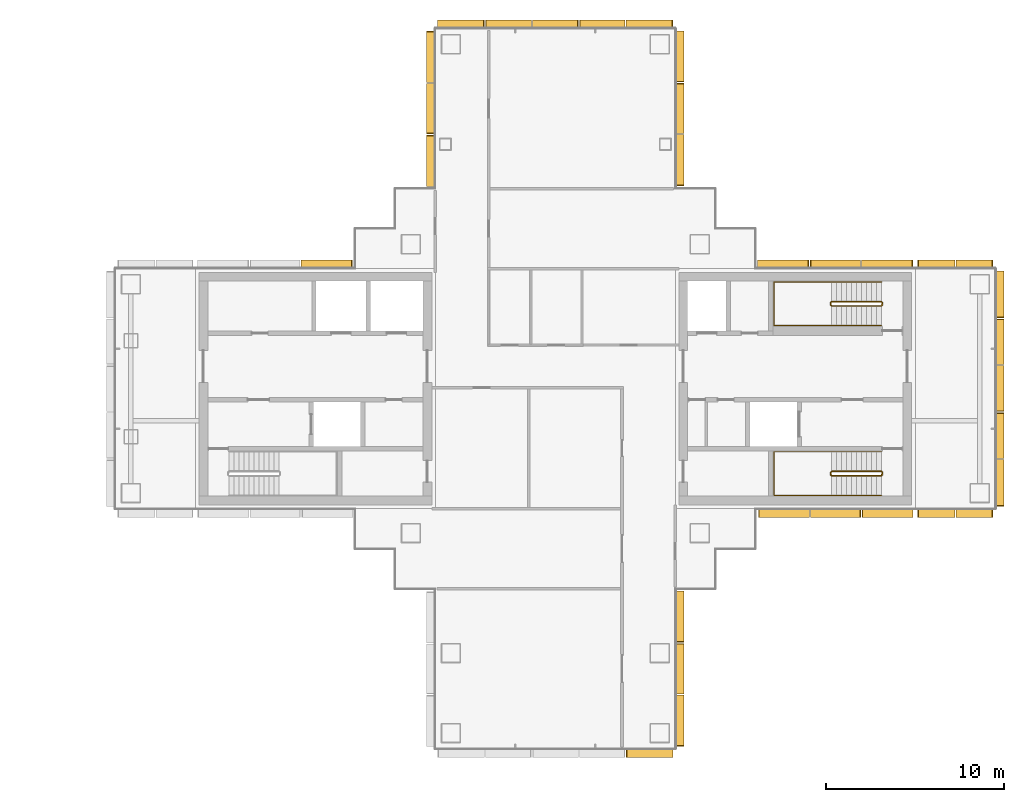
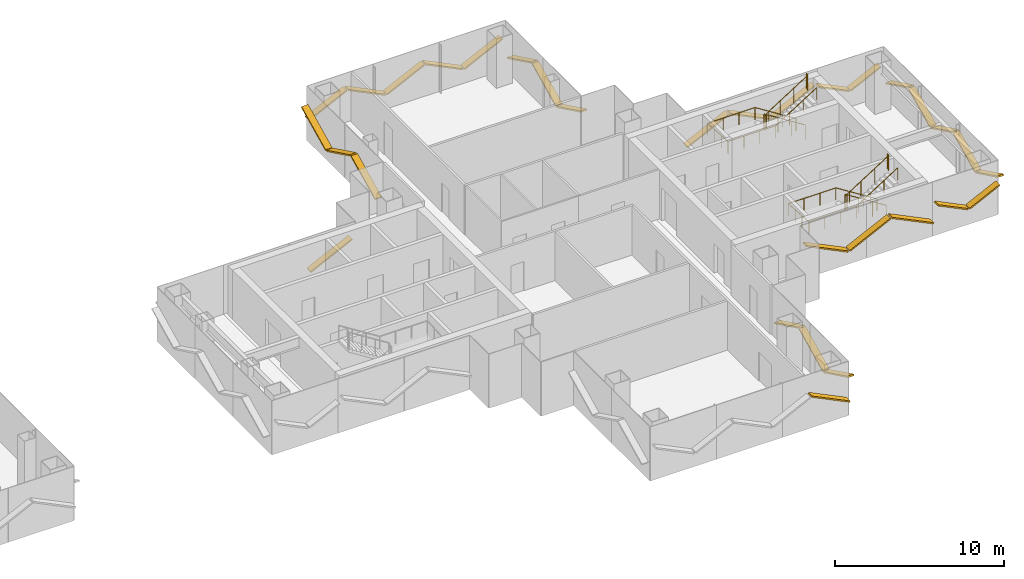
# One storey, part 16 of 16: 31 shading devices, 4 railings.
"""IFC4 building model written with IfcOpenShell, lengths in metres."""

from ifc_helpers import new_model, si_unit, direction, frame, origin, origin_2d, place, context, subcontext, project, spatial, rectangle, circle, extrude, material, material_profile, profile_set, type_object, element, save


model = new_model("IFC4")

# Units and contexts
model_context = context("Model", 3, precision=1e-05, world=origin(), true_north=direction((0.0, 1.0)))
body_context = subcontext(model_context, "Body", "Model", "MODEL_VIEW")
ifc_project = project(units=[si_unit("LENGTHUNIT", "METRE"), si_unit("AREAUNIT", "SQUARE_METRE"), si_unit("VOLUMEUNIT", "CUBIC_METRE"), si_unit("PLANEANGLEUNIT", "RADIAN"), si_unit("MASSUNIT", "GRAM", prefix="KILO")], contexts=[model_context])

# Site, building, storey
site_placement = place(None, origin())
site = spatial("IfcSite", under=ifc_project, at=site_placement, CompositionType="ELEMENT")
building_placement = place(site_placement, origin())
building = spatial("IfcBuilding", under=site, at=building_placement, Name="Shamsa Quay Exchange Towers", CompositionType="ELEMENT")
storey_placement = place(building_placement, frame((0.0, 0.0, 162.300048828125)))
storey = spatial("IfcBuildingStorey", under=building, at=storey_placement, Name="L38", CompositionType="ELEMENT", Elevation=162.300048828125)

# Shading devices
ifc_material_1 = material(Name="Aluminium EN AW-6063 T6, black anodised", Category="aluminium")
ifc_material_profile = material_profile(ifc_material_1, rectangle(XDim=0.449951171875, YDim=0.10009765625, at=origin_2d()), Name="FIN450x100")
ifc_profile_set = profile_set([ifc_material_profile], Name="Aluminium EN AW-6063 T6, black anodised")
shading_device_type = type_object("IfcShadingDeviceType", Name="FIN 450x100 BLACK ALUMINIUM", PredefinedType="USERDEFINED", material=ifc_profile_set)
shading_device_1_placement = place(storey_placement, frame((45.18798828125, -7.01904296875, 2.2919921875), z_axis=(0.898776621123, 0.0, -0.438406871893), x_axis=(0.0, 1.0, 0.0)))
element("IfcShadingDevice", 1, at=shading_device_1_placement, inside=storey, type_object=shading_device_type, Name="FIN T2 chevron rib", ObjectType="FIN", PredefinedType="USERDEFINED", context=body_context, shape_type="SweptSolid", body=[
    extrude(rectangle(XDim=0.449951171875, YDim=0.10009765625, at=origin_2d()), origin(), (0.0, 0.0, 1.0), 3.156982421875),
])
shading_device_2_placement = place(storey_placement, frame((48.125244140625, -7.01904296875, 0.920166015625), z_axis=(0.898776767917, 0.0, 0.43840657095), x_axis=(0.0, 1.0, 0.0)))
element("IfcShadingDevice", 2, at=shading_device_2_placement, inside=storey, type_object=shading_device_type, Name="FIN T2 chevron rib", ObjectType="FIN", PredefinedType="USERDEFINED", context=body_context, shape_type="SweptSolid", body=[
    extrude(rectangle(XDim=0.449951171875, YDim=0.10009765625, at=origin_2d()), origin(), (0.0, 0.0, 1.0), 3.101318359375),
])
shading_device_3_placement = place(storey_placement, frame((51.0126953125, -7.01904296875, 2.2919921875), z_axis=(0.898776621123, 0.0, -0.438406871893), x_axis=(0.0, 1.0, 0.0)))
element("IfcShadingDevice", 3, at=shading_device_3_placement, inside=storey, type_object=shading_device_type, Name="FIN T2 chevron rib", ObjectType="FIN", PredefinedType="USERDEFINED", context=body_context, shape_type="SweptSolid", body=[
    extrude(rectangle(XDim=0.449951171875, YDim=0.10009765625, at=origin_2d()), origin(), (0.0, 0.0, 1.0), 3.156982421875),
])
for number, where, z_axis, x_axis, name in (
    (4, (54.14990234375, -7.014892578125, 2.099853515625), (0.898814733754, 0.0, -0.43832872868), (0.0, 1.0, 0.0), "FIN T2 chevron rib"),
    (5, (56.300048828125, -7.014892578125, 1.10009765625), (0.898814733754, 0.0, 0.43832872868), (0.0, 1.0, 0.0), "FIN T2 chevron rib"),
):
    element("IfcShadingDevice", number, at=place(storey_placement, frame(where, z_axis=z_axis, x_axis=x_axis)), inside=storey, type_object=shading_device_type, Name=name, ObjectType="FIN", PredefinedType="USERDEFINED", context=body_context, shape_type="SweptSolid", body=[
        extrude(rectangle(XDim=0.449951171875, YDim=0.10009765625, at=origin_2d()), origin(), (0.0, 0.0, 1.0), 2.28076171875),
    ])
shading_device_4_placement = place(storey_placement, frame((58.764892578125, -6.60009765625, 2.2314453125), z_axis=(0.0, 0.898805897141, -0.43834684813), x_axis=(-1.0, 0.0, 0.0)))
element("IfcShadingDevice", 6, at=shading_device_4_placement, inside=storey, type_object=shading_device_type, Name="FIN T2 chevron rib", ObjectType="FIN", PredefinedType="USERDEFINED", context=body_context, shape_type="SweptSolid", body=[
    extrude(rectangle(XDim=0.449951171875, YDim=0.10009765625, at=origin_2d()), origin(), (0.0, 0.0, 1.0), 2.881591796875),
])
shading_device_5_placement = place(storey_placement, frame((58.764892578125, -3.909912109375, 0.98046875), z_axis=(0.0, 0.898755990607, 0.438449163927), x_axis=(-1.0, 0.0, 0.0)))
element("IfcShadingDevice", 7, at=shading_device_5_placement, inside=storey, type_object=shading_device_type, Name="FIN T2 chevron rib", ObjectType="FIN", PredefinedType="USERDEFINED", context=body_context, shape_type="SweptSolid", body=[
    extrude(rectangle(XDim=0.449951171875, YDim=0.10009765625, at=origin_2d()), origin(), (0.0, 0.0, 1.0), 2.825927734375),
])
shading_device_6_placement = place(storey_placement, frame((58.764892578125, -1.27001953125, 2.219482421875), z_axis=(0.0, 0.898772596839, -0.438415121968), x_axis=(-1.0, 0.0, 0.0)))
element("IfcShadingDevice", 8, at=shading_device_6_placement, inside=storey, type_object=shading_device_type, Name="FIN T2 chevron rib", ObjectType="FIN", PredefinedType="USERDEFINED", context=body_context, shape_type="SweptSolid", body=[
    extrude(rectangle(XDim=0.449951171875, YDim=0.10009765625, at=origin_2d()), origin(), (0.0, 0.0, 1.0), 2.826171875),
])
shading_device_7_placement = place(storey_placement, frame((58.764892578125, 1.3701171875, 0.98046875), z_axis=(0.0, 0.898755990607, 0.438449163927), x_axis=(-1.0, 0.0, 0.0)))
element("IfcShadingDevice", 9, at=shading_device_7_placement, inside=storey, type_object=shading_device_type, Name="FIN T2 chevron rib", ObjectType="FIN", PredefinedType="USERDEFINED", context=body_context, shape_type="SweptSolid", body=[
    extrude(rectangle(XDim=0.449951171875, YDim=0.10009765625, at=origin_2d()), origin(), (0.0, 0.0, 1.0), 2.825927734375),
])
shading_device_8_placement = place(storey_placement, frame((58.764892578125, 4.010009765625, 2.2314453125), z_axis=(0.0, 0.898805897141, -0.43834684813), x_axis=(-1.0, 0.0, 0.0)))
element("IfcShadingDevice", 10, at=shading_device_8_placement, inside=storey, type_object=shading_device_type, Name="FIN T2 chevron rib", ObjectType="FIN", PredefinedType="USERDEFINED", context=body_context, shape_type="SweptSolid", body=[
    extrude(rectangle(XDim=0.449951171875, YDim=0.10009765625, at=origin_2d()), origin(), (0.0, 0.0, 1.0), 2.881591796875),
])
for number, where, z_axis, x_axis, name in (
    (11, (58.35009765625, 7.014892578125, 2.099853515625), (-0.898814733754, 0.0, -0.43832872868), (0.0, -1.0, 0.0), "FIN T2 chevron rib"),
    (12, (56.199951171875, 7.014892578125, 1.10009765625), (-0.898814733754, 0.0, 0.43832872868), (0.0, -1.0, 0.0), "FIN T2 chevron rib"),
):
    element("IfcShadingDevice", number, at=place(storey_placement, frame(where, z_axis=z_axis, x_axis=x_axis)), inside=storey, type_object=shading_device_type, Name=name, ObjectType="FIN", PredefinedType="USERDEFINED", context=body_context, shape_type="SweptSolid", body=[
        extrude(rectangle(XDim=0.449951171875, YDim=0.10009765625, at=origin_2d()), origin(), (0.0, 0.0, 1.0), 2.28076171875),
    ])
shading_device_9_placement = place(storey_placement, frame((53.85009765625, 7.01904296875, 2.294921875), z_axis=(-0.898818017417, 0.0, -0.438321995302), x_axis=(0.0, -1.0, 0.0)))
element("IfcShadingDevice", 13, at=shading_device_9_placement, inside=storey, type_object=shading_device_type, Name="FIN T2 chevron rib", ObjectType="FIN", PredefinedType="USERDEFINED", context=body_context, shape_type="SweptSolid", body=[
    extrude(rectangle(XDim=0.449951171875, YDim=0.10009765625, at=origin_2d()), origin(), (0.0, 0.0, 1.0), 3.1708984375),
])
shading_device_10_placement = place(storey_placement, frame((50.89990234375, 7.01904296875, 0.917236328125), z_axis=(-0.898803845139, 0.0, 0.438351055621), x_axis=(0.0, -1.0, 0.0)))
element("IfcShadingDevice", 14, at=shading_device_10_placement, inside=storey, type_object=shading_device_type, Name="FIN T2 chevron rib", ObjectType="FIN", PredefinedType="USERDEFINED", context=body_context, shape_type="SweptSolid", body=[
    extrude(rectangle(XDim=0.449951171875, YDim=0.10009765625, at=origin_2d()), origin(), (0.0, 0.0, 1.0), 3.114990234375),
])
shading_device_11_placement = place(storey_placement, frame((48.0, 7.01904296875, 2.294921875), z_axis=(-0.898818017417, 0.0, -0.438321995302), x_axis=(0.0, -1.0, 0.0)))
element("IfcShadingDevice", 15, at=shading_device_11_placement, inside=storey, type_object=shading_device_type, Name="FIN T2 chevron rib", ObjectType="FIN", PredefinedType="USERDEFINED", context=body_context, shape_type="SweptSolid", body=[
    extrude(rectangle(XDim=0.449951171875, YDim=0.10009765625, at=origin_2d()), origin(), (0.0, 0.0, 1.0), 3.1708984375),
])
shading_device_12_placement = place(storey_placement, frame((40.764892578125, 11.43798828125, 2.2919921875), z_axis=(0.0, 0.898776621123, -0.438406871893), x_axis=(-1.0, 0.0, 0.0)))
element("IfcShadingDevice", 16, at=shading_device_12_placement, inside=storey, type_object=shading_device_type, Name="FIN T2 chevron rib", ObjectType="FIN", PredefinedType="USERDEFINED", context=body_context, shape_type="SweptSolid", body=[
    extrude(rectangle(XDim=0.449951171875, YDim=0.10009765625, at=origin_2d()), origin(), (0.0, 0.0, 1.0), 3.156982421875),
])
shading_device_13_placement = place(storey_placement, frame((40.764892578125, 14.375244140625, 0.920166015625), z_axis=(0.0, 0.898776767917, 0.43840657095), x_axis=(-1.0, 0.0, 0.0)))
element("IfcShadingDevice", 17, at=shading_device_13_placement, inside=storey, type_object=shading_device_type, Name="FIN T2 chevron rib", ObjectType="FIN", PredefinedType="USERDEFINED", context=body_context, shape_type="SweptSolid", body=[
    extrude(rectangle(XDim=0.449951171875, YDim=0.10009765625, at=origin_2d()), origin(), (0.0, 0.0, 1.0), 3.101318359375),
])
shading_device_14_placement = place(storey_placement, frame((40.764892578125, 17.2626953125, 2.2919921875), z_axis=(0.0, 0.898776621123, -0.438406871893), x_axis=(-1.0, 0.0, 0.0)))
element("IfcShadingDevice", 18, at=shading_device_14_placement, inside=storey, type_object=shading_device_type, Name="FIN T2 chevron rib", ObjectType="FIN", PredefinedType="USERDEFINED", context=body_context, shape_type="SweptSolid", body=[
    extrude(rectangle(XDim=0.449951171875, YDim=0.10009765625, at=origin_2d()), origin(), (0.0, 0.0, 1.0), 3.156982421875),
])
shading_device_15_placement = place(storey_placement, frame((40.35009765625, 20.514892578125, 2.2314453125), z_axis=(-0.898805897141, 0.0, -0.43834684813), x_axis=(0.0, -1.0, 0.0)))
element("IfcShadingDevice", 19, at=shading_device_15_placement, inside=storey, type_object=shading_device_type, Name="FIN T2 chevron rib", ObjectType="FIN", PredefinedType="USERDEFINED", context=body_context, shape_type="SweptSolid", body=[
    extrude(rectangle(XDim=0.449951171875, YDim=0.10009765625, at=origin_2d()), origin(), (0.0, 0.0, 1.0), 2.881591796875),
])
shading_device_16_placement = place(storey_placement, frame((37.659912109375, 20.514892578125, 0.98046875), z_axis=(-0.898755990607, 0.0, 0.438449163927), x_axis=(0.0, -1.0, 0.0)))
element("IfcShadingDevice", 20, at=shading_device_16_placement, inside=storey, type_object=shading_device_type, Name="FIN T2 chevron rib", ObjectType="FIN", PredefinedType="USERDEFINED", context=body_context, shape_type="SweptSolid", body=[
    extrude(rectangle(XDim=0.449951171875, YDim=0.10009765625, at=origin_2d()), origin(), (0.0, 0.0, 1.0), 2.825927734375),
])
shading_device_17_placement = place(storey_placement, frame((35.02001953125, 20.514892578125, 2.219482421875), z_axis=(-0.898772596839, 0.0, -0.438415121968), x_axis=(0.0, -1.0, 0.0)))
element("IfcShadingDevice", 21, at=shading_device_17_placement, inside=storey, type_object=shading_device_type, Name="FIN T2 chevron rib", ObjectType="FIN", PredefinedType="USERDEFINED", context=body_context, shape_type="SweptSolid", body=[
    extrude(rectangle(XDim=0.449951171875, YDim=0.10009765625, at=origin_2d()), origin(), (0.0, 0.0, 1.0), 2.826171875),
])
shading_device_18_placement = place(storey_placement, frame((32.3798828125, 20.514892578125, 0.98046875), z_axis=(-0.898755990607, 0.0, 0.438449163927), x_axis=(0.0, -1.0, 0.0)))
element("IfcShadingDevice", 22, at=shading_device_18_placement, inside=storey, type_object=shading_device_type, Name="FIN T2 chevron rib", ObjectType="FIN", PredefinedType="USERDEFINED", context=body_context, shape_type="SweptSolid", body=[
    extrude(rectangle(XDim=0.449951171875, YDim=0.10009765625, at=origin_2d()), origin(), (0.0, 0.0, 1.0), 2.825927734375),
])
shading_device_19_placement = place(storey_placement, frame((29.739990234375, 20.514892578125, 2.2314453125), z_axis=(-0.898805897141, 0.0, -0.43834684813), x_axis=(0.0, -1.0, 0.0)))
element("IfcShadingDevice", 23, at=shading_device_19_placement, inside=storey, type_object=shading_device_type, Name="FIN T2 chevron rib", ObjectType="FIN", PredefinedType="USERDEFINED", context=body_context, shape_type="SweptSolid", body=[
    extrude(rectangle(XDim=0.449951171875, YDim=0.10009765625, at=origin_2d()), origin(), (0.0, 0.0, 1.0), 2.881591796875),
])
shading_device_20_placement = place(storey_placement, frame((26.735107421875, 20.10009765625, 2.294921875), z_axis=(0.0, -0.898818017417, -0.438321995302), x_axis=(1.0, 0.0, 0.0)))
element("IfcShadingDevice", 24, at=shading_device_20_placement, inside=storey, type_object=shading_device_type, Name="FIN T2 chevron rib", ObjectType="FIN", PredefinedType="USERDEFINED", context=body_context, shape_type="SweptSolid", body=[
    extrude(rectangle(XDim=0.449951171875, YDim=0.10009765625, at=origin_2d()), origin(), (0.0, 0.0, 1.0), 3.1708984375),
])
shading_device_21_placement = place(storey_placement, frame((26.735107421875, 17.14990234375, 0.917236328125), z_axis=(0.0, -0.898803845139, 0.438351055621), x_axis=(1.0, 0.0, 0.0)))
element("IfcShadingDevice", 25, at=shading_device_21_placement, inside=storey, type_object=shading_device_type, Name="FIN T2 chevron rib", ObjectType="FIN", PredefinedType="USERDEFINED", context=body_context, shape_type="SweptSolid", body=[
    extrude(rectangle(XDim=0.449951171875, YDim=0.10009765625, at=origin_2d()), origin(), (0.0, 0.0, 1.0), 3.114990234375),
])
shading_device_22_placement = place(storey_placement, frame((26.735107421875, 14.25, 2.294921875), z_axis=(0.0, -0.898818017417, -0.438321995302), x_axis=(1.0, 0.0, 0.0)))
element("IfcShadingDevice", 26, at=shading_device_22_placement, inside=storey, type_object=shading_device_type, Name="FIN T2 chevron rib", ObjectType="FIN", PredefinedType="USERDEFINED", context=body_context, shape_type="SweptSolid", body=[
    extrude(rectangle(XDim=0.449951171875, YDim=0.10009765625, at=origin_2d()), origin(), (0.0, 0.0, 1.0), 3.1708984375),
])
shading_device_23_placement = place(storey_placement, frame((22.31201171875, 7.01904296875, 2.2919921875), z_axis=(-0.898776621123, 0.0, -0.438406871893), x_axis=(0.0, -1.0, 0.0)))
element("IfcShadingDevice", 27, at=shading_device_23_placement, inside=storey, type_object=shading_device_type, Name="FIN T2 chevron rib", ObjectType="FIN", PredefinedType="USERDEFINED", context=body_context, shape_type="SweptSolid", body=[
    extrude(rectangle(XDim=0.449951171875, YDim=0.10009765625, at=origin_2d()), origin(), (0.0, 0.0, 1.0), 3.156982421875),
])
shading_device_24_placement = place(storey_placement, frame((37.760009765625, -20.514892578125, 2.2314453125), z_axis=(0.898805897141, 0.0, -0.43834684813), x_axis=(0.0, 1.0, 0.0)))
element("IfcShadingDevice", 28, at=shading_device_24_placement, inside=storey, type_object=shading_device_type, Name="FIN T2 chevron rib", ObjectType="FIN", PredefinedType="USERDEFINED", context=body_context, shape_type="SweptSolid", body=[
    extrude(rectangle(XDim=0.449951171875, YDim=0.10009765625, at=origin_2d()), origin(), (0.0, 0.0, 1.0), 2.881591796875),
])
shading_device_25_placement = place(storey_placement, frame((40.764892578125, -20.10009765625, 2.294921875), z_axis=(0.0, 0.898818017417, -0.438321995302), x_axis=(-1.0, 0.0, 0.0)))
element("IfcShadingDevice", 29, at=shading_device_25_placement, inside=storey, type_object=shading_device_type, Name="FIN T2 chevron rib", ObjectType="FIN", PredefinedType="USERDEFINED", context=body_context, shape_type="SweptSolid", body=[
    extrude(rectangle(XDim=0.449951171875, YDim=0.10009765625, at=origin_2d()), origin(), (0.0, 0.0, 1.0), 3.1708984375),
])
shading_device_26_placement = place(storey_placement, frame((40.764892578125, -17.14990234375, 0.917236328125), z_axis=(0.0, 0.898803845139, 0.438351055621), x_axis=(-1.0, 0.0, 0.0)))
element("IfcShadingDevice", 30, at=shading_device_26_placement, inside=storey, type_object=shading_device_type, Name="FIN T2 chevron rib", ObjectType="FIN", PredefinedType="USERDEFINED", context=body_context, shape_type="SweptSolid", body=[
    extrude(rectangle(XDim=0.449951171875, YDim=0.10009765625, at=origin_2d()), origin(), (0.0, 0.0, 1.0), 3.114990234375),
])
shading_device_27_placement = place(storey_placement, frame((40.764892578125, -14.25, 2.294921875), z_axis=(0.0, 0.898818017417, -0.438321995302), x_axis=(-1.0, 0.0, 0.0)))
element("IfcShadingDevice", 31, at=shading_device_27_placement, inside=storey, type_object=shading_device_type, Name="FIN T2 chevron rib", ObjectType="FIN", PredefinedType="USERDEFINED", context=body_context, shape_type="SweptSolid", body=[
    extrude(rectangle(XDim=0.449951171875, YDim=0.10009765625, at=origin_2d()), origin(), (0.0, 0.0, 1.0), 3.1708984375),
])

# Railings
ifc_material_2 = material(Name="Stainless steel", Category="steel")
railing_type_1 = type_object("IfcRailingType", Name="STAIR GUARD 1100", PredefinedType="GUARDRAIL", material=ifc_material_2)
railing_1_placement = place(storey_placement, frame((52.10009765625, -4.64990234375, 0.17724609375)))
element("IfcRailing", 32, at=railing_1_placement, inside=storey, type_object=railing_type_1, Name="L38 ST5 stair guard 1", PredefinedType="GUARDRAIL", context=body_context, shape_type="SweptSolid", body=[
    extrude(circle(Radius=0.02392578125, at=origin_2d()), frame((0.0, 0.0, 1.076171875), z_axis=(-0.844908973607, 0.0, 0.534910110503), x_axis=(0.0, -1.0, 0.0)), (0.0, 0.0, 1.0), 3.31396484375),
    extrude(circle(Radius=0.02392578125, at=origin_2d()), frame((-2.800048828125, 0.0, 2.8486328125), z_axis=(-0.707106781187, -0.707106781187, 0.0), x_axis=(0.707106781187, -0.707106781187, 0.0)), (0.0, 0.0, 1.0), 0.07080078125),
    extrude(circle(Radius=0.02392578125, at=origin_2d()), frame((-2.85009765625, -0.050048828125, 2.8486328125), z_axis=(0.0, -1.0, 0.0), x_axis=(1.0, 0.0, 0.0)), (0.0, 0.0, 1.0), 0.150146484375),
    extrude(circle(Radius=0.02392578125, at=origin_2d()), frame((-2.85009765625, -0.2001953125, 2.8486328125), z_axis=(0.262321481514, -0.261041864531, 0.929001929653), x_axis=(0.705375805398, 0.708833529934, 0.0)), (0.0, 0.0, 1.0), 0.190673828125),
    extrude(circle(Radius=0.02392578125, at=origin_2d()), frame((-2.800048828125, -0.25, 3.02587890625), z_axis=(0.844908973607, 0.0, 0.534910110503), x_axis=(0.0, 1.0, 0.0)), (0.0, 0.0, 1.0), 3.31396484375),
    extrude(circle(Radius=0.02392578125, at=origin_2d()), frame((0.0, -0.25, 4.798828125), z_axis=(0.241699205484, 0.970351222016, 0.0), x_axis=(-0.970351222016, 0.241699205484, 0.0)), (0.0, 0.0, 1.0), 0.2060546875),
    extrude(circle(Radius=0.02392578125, at=origin_2d()), frame((0.0498046875, -0.050048828125, 4.798828125), z_axis=(0.0, -1.0, 0.0), x_axis=(1.0, 0.0, 0.0)), (0.0, 0.0, 1.0), 0.150146484375),
    extrude(circle(Radius=0.02099609375, at=origin_2d()), origin(), (0.0, 0.0, 1.0), 1.052001953125),
    extrude(circle(Radius=0.02099609375, at=origin_2d()), frame((-0.933349609375, 0.0, 0.5908203125)), (0.0, 0.0, 1.0), 1.052001953125),
    extrude(circle(Radius=0.02099609375, at=origin_2d()), frame((-1.86669921875, 0.0, 1.181884765625)), (0.0, 0.0, 1.0), 1.052001953125),
    extrude(circle(Radius=0.02099609375, at=origin_2d()), frame((-2.800048828125, 0.0, 1.772705078125)), (0.0, 0.0, 1.0), 1.052001953125),
    extrude(circle(Radius=0.02099609375, at=origin_2d()), frame((-2.85009765625, -0.050048828125, 1.772705078125)), (0.0, 0.0, 1.0), 1.052001953125),
    extrude(circle(Radius=0.02099609375, at=origin_2d()), frame((-2.85009765625, -0.2001953125, 1.772705078125)), (0.0, 0.0, 1.0), 1.052001953125),
    extrude(circle(Radius=0.02099609375, at=origin_2d()), frame((-2.800048828125, -0.25, 1.949951171875)), (0.0, 0.0, 1.0), 1.052001953125),
    extrude(circle(Radius=0.02099609375, at=origin_2d()), frame((-1.86669921875, -0.25, 2.540771484375)), (0.0, 0.0, 1.0), 1.052001953125),
    extrude(circle(Radius=0.02099609375, at=origin_2d()), frame((-0.933349609375, -0.25, 3.1318359375)), (0.0, 0.0, 1.0), 1.052001953125),
    extrude(circle(Radius=0.02099609375, at=origin_2d()), frame((0.0, -0.25, 3.72265625)), (0.0, 0.0, 1.0), 1.052001953125),
    extrude(circle(Radius=0.02099609375, at=origin_2d()), frame((0.0498046875, -0.050048828125, 3.72265625)), (0.0, 0.0, 1.0), 1.052001953125),
    extrude(circle(Radius=0.02099609375, at=origin_2d()), frame((0.0498046875, -0.2001953125, 3.72265625)), (0.0, 0.0, 1.0), 1.052001953125),
])
railing_2_placement = place(storey_placement, frame((52.10009765625, 4.89990234375, 0.17724609375)))
element("IfcRailing", 33, at=railing_2_placement, inside=storey, type_object=railing_type_1, Name="L38 ST6 stair guard 1", PredefinedType="GUARDRAIL", context=body_context, shape_type="SweptSolid", body=[
    extrude(circle(Radius=0.02392578125, at=origin_2d()), frame((0.0, 0.0, 1.076171875), z_axis=(-0.844908973607, 0.0, 0.534910110503), x_axis=(0.0, -1.0, 0.0)), (0.0, 0.0, 1.0), 3.31396484375),
    extrude(circle(Radius=0.02392578125, at=origin_2d()), frame((-2.800048828125, 0.0, 2.8486328125), z_axis=(-0.708833529934, -0.705375805398, 0.0), x_axis=(0.705375805398, -0.708833529934, 0.0)), (0.0, 0.0, 1.0), 0.070556640625),
    extrude(circle(Radius=0.02392578125, at=origin_2d()), frame((-2.85009765625, -0.0498046875, 2.8486328125), z_axis=(0.0, -1.0, 0.0), x_axis=(1.0, 0.0, 0.0)), (0.0, 0.0, 1.0), 0.150146484375),
    extrude(circle(Radius=0.02392578125, at=origin_2d()), frame((-2.85009765625, -0.199951171875, 2.8486328125), z_axis=(0.262233686654, -0.262233686654, 0.928691007369), x_axis=(0.707106781187, 0.707106781187, 0.0)), (0.0, 0.0, 1.0), 0.19091796875),
    extrude(circle(Radius=0.02392578125, at=origin_2d()), frame((-2.800048828125, -0.25, 3.02587890625), z_axis=(0.844908973607, 0.0, 0.534910110503), x_axis=(0.0, 1.0, 0.0)), (0.0, 0.0, 1.0), 3.31396484375),
    extrude(circle(Radius=0.02392578125, at=origin_2d()), frame((0.0, -0.25, 4.798828125), z_axis=(0.24142163986, 0.970420317083, 0.0), x_axis=(-0.970420317083, 0.24142163986, 0.0)), (0.0, 0.0, 1.0), 0.206298828125),
    extrude(circle(Radius=0.02392578125, at=origin_2d()), frame((0.0498046875, -0.0498046875, 4.798828125), z_axis=(0.0, -1.0, 0.0), x_axis=(1.0, 0.0, 0.0)), (0.0, 0.0, 1.0), 0.150146484375),
    extrude(circle(Radius=0.02099609375, at=origin_2d()), origin(), (0.0, 0.0, 1.0), 1.052001953125),
    extrude(circle(Radius=0.02099609375, at=origin_2d()), frame((-0.933349609375, 0.0, 0.5908203125)), (0.0, 0.0, 1.0), 1.052001953125),
    extrude(circle(Radius=0.02099609375, at=origin_2d()), frame((-1.86669921875, 0.0, 1.181884765625)), (0.0, 0.0, 1.0), 1.052001953125),
    extrude(circle(Radius=0.02099609375, at=origin_2d()), frame((-2.800048828125, 0.0, 1.772705078125)), (0.0, 0.0, 1.0), 1.052001953125),
    extrude(circle(Radius=0.02099609375, at=origin_2d()), frame((-2.85009765625, -0.0498046875, 1.772705078125)), (0.0, 0.0, 1.0), 1.052001953125),
    extrude(circle(Radius=0.02099609375, at=origin_2d()), frame((-2.85009765625, -0.199951171875, 1.772705078125)), (0.0, 0.0, 1.0), 1.052001953125),
    extrude(circle(Radius=0.02099609375, at=origin_2d()), frame((-2.800048828125, -0.25, 1.949951171875)), (0.0, 0.0, 1.0), 1.052001953125),
    extrude(circle(Radius=0.02099609375, at=origin_2d()), frame((-1.86669921875, -0.25, 2.540771484375)), (0.0, 0.0, 1.0), 1.052001953125),
    extrude(circle(Radius=0.02099609375, at=origin_2d()), frame((-0.933349609375, -0.25, 3.1318359375)), (0.0, 0.0, 1.0), 1.052001953125),
    extrude(circle(Radius=0.02099609375, at=origin_2d()), frame((0.0, -0.25, 3.72265625)), (0.0, 0.0, 1.0), 1.052001953125),
    extrude(circle(Radius=0.02099609375, at=origin_2d()), frame((0.0498046875, -0.0498046875, 3.72265625)), (0.0, 0.0, 1.0), 1.052001953125),
    extrude(circle(Radius=0.02099609375, at=origin_2d()), frame((0.0498046875, -0.199951171875, 3.72265625)), (0.0, 0.0, 1.0), 1.052001953125),
])
railing_type_2 = type_object("IfcRailingType", Name="STAIR HANDRAIL 900", PredefinedType="HANDRAIL", material=ifc_material_2)
railing_3_placement = place(storey_placement, frame((52.10009765625, -3.550048828125, 0.17724609375)))
element("IfcRailing", 34, at=railing_3_placement, inside=storey, type_object=railing_type_2, Name="L38 ST5 stair handrail 1", PredefinedType="HANDRAIL", context=body_context, shape_type="SweptSolid", body=[
    extrude(circle(Radius=0.02392578125, at=origin_2d()), frame((0.0, 0.0, 0.8759765625), z_axis=(-0.844908973607, 0.0, 0.534910110503), x_axis=(0.0, -1.0, 0.0)), (0.0, 0.0, 1.0), 3.31396484375),
    extrude(circle(Radius=0.02392578125, at=origin_2d()), frame((-2.800048828125, 0.0, 2.6484375), z_axis=(-1.0, 0.0, 0.0), x_axis=(0.0, -1.0, 0.0)), (0.0, 0.0, 1.0), 3.25),
    extrude(circle(Radius=0.02392578125, at=origin_2d()), frame((-6.050048828125, 0.0, 2.6484375), z_axis=(0.0, -0.997393199914, 0.07215819264), x_axis=(1.0, 0.0, 0.0)), (0.0, 0.0, 1.0), 2.456298828125),
    extrude(circle(Radius=0.02392578125, at=origin_2d()), frame((-6.050048828125, -2.449951171875, 2.82568359375), z_axis=(1.0, 0.0, 0.0), x_axis=(0.0, 1.0, 0.0)), (0.0, 0.0, 1.0), 3.25),
    extrude(circle(Radius=0.02392578125, at=origin_2d()), frame((-2.800048828125, -2.449951171875, 2.82568359375), z_axis=(0.844908973607, 0.0, 0.534910110503), x_axis=(0.0, 1.0, 0.0)), (0.0, 0.0, 1.0), 3.31396484375),
    extrude(circle(Radius=0.02099609375, at=origin_2d()), origin(), (0.0, 0.0, 1.0), 0.851806640625),
    extrude(circle(Radius=0.02099609375, at=origin_2d()), frame((-0.933349609375, 0.0, 0.5908203125)), (0.0, 0.0, 1.0), 0.851806640625),
    extrude(circle(Radius=0.02099609375, at=origin_2d()), frame((-1.86669921875, 0.0, 1.181884765625)), (0.0, 0.0, 1.0), 0.851806640625),
    extrude(circle(Radius=0.02099609375, at=origin_2d()), frame((-2.800048828125, 0.0, 1.772705078125)), (0.0, 0.0, 1.0), 0.851806640625),
    extrude(circle(Radius=0.02099609375, at=origin_2d()), frame((-3.88330078125, 0.0, 1.772705078125)), (0.0, 0.0, 1.0), 0.851806640625),
    extrude(circle(Radius=0.02099609375, at=origin_2d()), frame((-4.966796875, 0.0, 1.772705078125)), (0.0, 0.0, 1.0), 0.851806640625),
    extrude(circle(Radius=0.02099609375, at=origin_2d()), frame((-6.050048828125, 0.0, 1.772705078125)), (0.0, 0.0, 1.0), 0.851806640625),
    extrude(circle(Radius=0.02099609375, at=origin_2d()), frame((-6.050048828125, -0.816650390625, 1.831787109375)), (0.0, 0.0, 1.0), 0.851806640625),
    extrude(circle(Radius=0.02099609375, at=origin_2d()), frame((-6.050048828125, -1.63330078125, 1.890869140625)), (0.0, 0.0, 1.0), 0.851806640625),
    extrude(circle(Radius=0.02099609375, at=origin_2d()), frame((-6.050048828125, -2.449951171875, 1.949951171875)), (0.0, 0.0, 1.0), 0.851806640625),
    extrude(circle(Radius=0.02099609375, at=origin_2d()), frame((-4.966796875, -2.449951171875, 1.949951171875)), (0.0, 0.0, 1.0), 0.851806640625),
    extrude(circle(Radius=0.02099609375, at=origin_2d()), frame((-3.88330078125, -2.449951171875, 1.949951171875)), (0.0, 0.0, 1.0), 0.851806640625),
    extrude(circle(Radius=0.02099609375, at=origin_2d()), frame((-2.800048828125, -2.449951171875, 1.949951171875)), (0.0, 0.0, 1.0), 0.851806640625),
    extrude(circle(Radius=0.02099609375, at=origin_2d()), frame((-1.86669921875, -2.449951171875, 2.540771484375)), (0.0, 0.0, 1.0), 0.851806640625),
    extrude(circle(Radius=0.02099609375, at=origin_2d()), frame((-0.933349609375, -2.449951171875, 3.1318359375)), (0.0, 0.0, 1.0), 0.851806640625),
    extrude(circle(Radius=0.02099609375, at=origin_2d()), frame((0.0, -2.449951171875, 3.72265625)), (0.0, 0.0, 1.0), 0.851806640625),
])
railing_4_placement = place(storey_placement, frame((52.10009765625, 6.0, 0.17724609375)))
element("IfcRailing", 35, at=railing_4_placement, inside=storey, type_object=railing_type_2, Name="L38 ST6 stair handrail 1", PredefinedType="HANDRAIL", context=body_context, shape_type="SweptSolid", body=[
    extrude(circle(Radius=0.02392578125, at=origin_2d()), frame((0.0, 0.0, 0.8759765625), z_axis=(-0.844908973607, 0.0, 0.534910110503), x_axis=(0.0, -1.0, 0.0)), (0.0, 0.0, 1.0), 3.31396484375),
    extrude(circle(Radius=0.02392578125, at=origin_2d()), frame((-2.800048828125, 0.0, 2.6484375), z_axis=(-1.0, 0.0, 0.0), x_axis=(0.0, -1.0, 0.0)), (0.0, 0.0, 1.0), 3.25),
    extrude(circle(Radius=0.02392578125, at=origin_2d()), frame((-6.050048828125, 0.0, 2.6484375), z_axis=(0.0, -0.997393199914, 0.07215819264), x_axis=(1.0, 0.0, 0.0)), (0.0, 0.0, 1.0), 2.456298828125),
    extrude(circle(Radius=0.02392578125, at=origin_2d()), frame((-6.050048828125, -2.449951171875, 2.82568359375), z_axis=(1.0, 0.0, 0.0), x_axis=(0.0, 1.0, 0.0)), (0.0, 0.0, 1.0), 3.25),
    extrude(circle(Radius=0.02392578125, at=origin_2d()), frame((-2.800048828125, -2.449951171875, 2.82568359375), z_axis=(0.844908973607, 0.0, 0.534910110503), x_axis=(0.0, 1.0, 0.0)), (0.0, 0.0, 1.0), 3.31396484375),
    extrude(circle(Radius=0.02099609375, at=origin_2d()), origin(), (0.0, 0.0, 1.0), 0.851806640625),
    extrude(circle(Radius=0.02099609375, at=origin_2d()), frame((-0.933349609375, 0.0, 0.5908203125)), (0.0, 0.0, 1.0), 0.851806640625),
    extrude(circle(Radius=0.02099609375, at=origin_2d()), frame((-1.86669921875, 0.0, 1.181884765625)), (0.0, 0.0, 1.0), 0.851806640625),
    extrude(circle(Radius=0.02099609375, at=origin_2d()), frame((-2.800048828125, 0.0, 1.772705078125)), (0.0, 0.0, 1.0), 0.851806640625),
    extrude(circle(Radius=0.02099609375, at=origin_2d()), frame((-3.88330078125, 0.0, 1.772705078125)), (0.0, 0.0, 1.0), 0.851806640625),
    extrude(circle(Radius=0.02099609375, at=origin_2d()), frame((-4.966796875, 0.0, 1.772705078125)), (0.0, 0.0, 1.0), 0.851806640625),
    extrude(circle(Radius=0.02099609375, at=origin_2d()), frame((-6.050048828125, 0.0, 1.772705078125)), (0.0, 0.0, 1.0), 0.851806640625),
    extrude(circle(Radius=0.02099609375, at=origin_2d()), frame((-6.050048828125, -0.816650390625, 1.831787109375)), (0.0, 0.0, 1.0), 0.851806640625),
    extrude(circle(Radius=0.02099609375, at=origin_2d()), frame((-6.050048828125, -1.63330078125, 1.890869140625)), (0.0, 0.0, 1.0), 0.851806640625),
    extrude(circle(Radius=0.02099609375, at=origin_2d()), frame((-6.050048828125, -2.449951171875, 1.949951171875)), (0.0, 0.0, 1.0), 0.851806640625),
    extrude(circle(Radius=0.02099609375, at=origin_2d()), frame((-4.966796875, -2.449951171875, 1.949951171875)), (0.0, 0.0, 1.0), 0.851806640625),
    extrude(circle(Radius=0.02099609375, at=origin_2d()), frame((-3.88330078125, -2.449951171875, 1.949951171875)), (0.0, 0.0, 1.0), 0.851806640625),
    extrude(circle(Radius=0.02099609375, at=origin_2d()), frame((-2.800048828125, -2.449951171875, 1.949951171875)), (0.0, 0.0, 1.0), 0.851806640625),
    extrude(circle(Radius=0.02099609375, at=origin_2d()), frame((-1.86669921875, -2.449951171875, 2.540771484375)), (0.0, 0.0, 1.0), 0.851806640625),
    extrude(circle(Radius=0.02099609375, at=origin_2d()), frame((-0.933349609375, -2.449951171875, 3.1318359375)), (0.0, 0.0, 1.0), 0.851806640625),
    extrude(circle(Radius=0.02099609375, at=origin_2d()), frame((0.0, -2.449951171875, 3.72265625)), (0.0, 0.0, 1.0), 0.851806640625),
])

save(model, "model.ifc")
